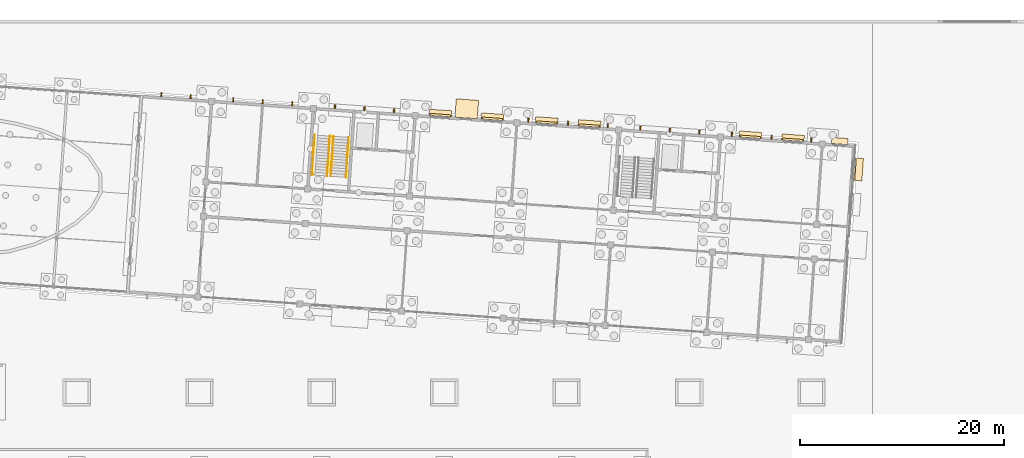
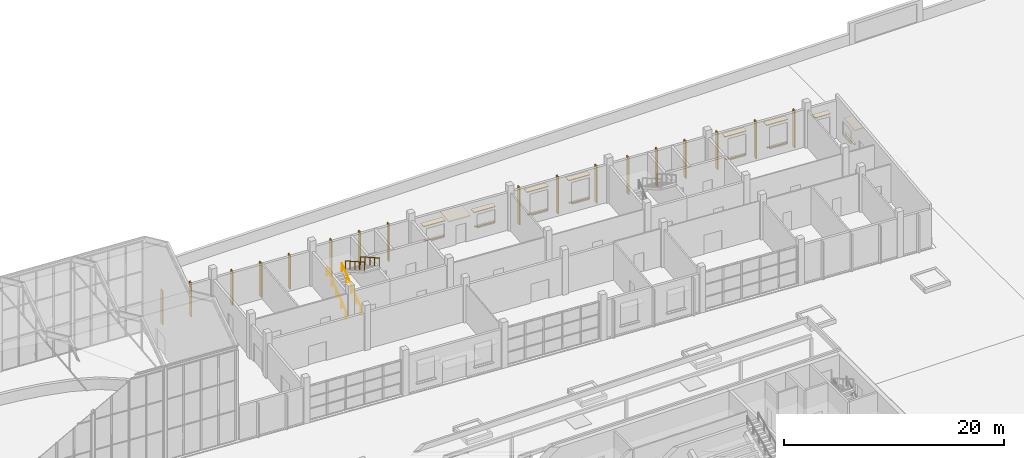
# One storey, part 156 of 157: 17 shading devices, 16 coverings, 4 railings.
"""IFC4 building model written with IfcOpenShell, lengths in metres."""

from ifc_helpers import new_model, si_unit, direction, frame, origin, origin_2d, place, context, subcontext, project, spatial, polyline, circle, outline, extrude, material, layer, layer_set, type_object, element, save


model = new_model("IFC4")

# Units and contexts
model_context = context("Model", 3, precision=1e-05, world=origin(), true_north=direction((0.0, 1.0)))
body_context = subcontext(model_context, "Body", "Model", "MODEL_VIEW")
ifc_project = project(units=[si_unit("LENGTHUNIT", "METRE"), si_unit("AREAUNIT", "SQUARE_METRE"), si_unit("VOLUMEUNIT", "CUBIC_METRE"), si_unit("PLANEANGLEUNIT", "RADIAN"), si_unit("MASSUNIT", "GRAM", prefix="KILO")], contexts=[model_context])

# Site, building, storey
site_placement = place(None, origin())
site = spatial("IfcSite", under=ifc_project, at=site_placement, CompositionType="ELEMENT")
building_placement = place(site_placement, origin())
building = spatial("IfcBuilding", under=site, at=building_placement, Name="Windward Yard Aquatics Centre", CompositionType="ELEMENT")
storey_placement = place(building_placement, origin())
storey = spatial("IfcBuildingStorey", under=building, at=storey_placement, Name="L00", CompositionType="ELEMENT", Elevation=0.0)

# Covering
ifc_material_1 = material(Name="Aluminium standing seam canopy on steel brackets", Category="steel")
ifc_layer_1 = layer(ifc_material_1, 0.1201171875)
ifc_layer_set_1 = layer_set([ifc_layer_1], Name="W entrance canopy aluminium 2200x1800")
covering_type_1 = type_object("IfcCoveringType", Name="W entrance canopy aluminium 2200x1800", PredefinedType="CLADDING", material=ifc_layer_set_1)
covering_1_placement = place(storey_placement, frame((0.0, 0.0, 2.5)))
element("IfcCovering", 1, at=covering_1_placement, inside=storey, type_object=covering_type_1, Name="Entrance canopy W0002", PredefinedType="CLADDING", context=body_context, shape_type="SweptSolid", body=[
    extrude(outline(polyline([(133.052978515625, 134.475830078125), (135.247802734375, 134.322509765625), (135.373291015625, 136.117919921875), (133.1787109375, 136.271484375), (133.052978515625, 134.475830078125)])), origin(), (0.0, 0.0, 1.0), 0.1201171875),
])

# Railings
ifc_material_2 = material(Name="Stainless steel 1.4401", Category="steel")
railing_type = type_object("IfcRailingType", Name="W handrail 900", PredefinedType="HANDRAIL", material=ifc_material_2)
railing_1_placement = place(storey_placement, frame((119.02392578125, 128.815673828125, 0.166748046875)))
element("IfcRailing", 2, at=railing_1_placement, inside=storey, type_object=railing_type, Name="W.HR.W.L00.1L", PredefinedType="HANDRAIL", context=body_context, shape_type="SweptSolid", body=[
    extrude(circle(Radius=0.02392578125, at=origin_2d()), frame((0.0, 0.0, 0.8759765625), z_axis=(0.059993964714, 0.857201902612, 0.51147397036), x_axis=(-0.997559791375, 0.069817351947, 0.0)), (0.0, 0.0, 1.0), 4.561767578125),
    extrude(circle(Radius=0.02099609375, at=origin_2d()), origin(), (0.0, 0.0, 1.0), 0.851806640625),
    extrude(circle(Radius=0.02099609375, at=origin_2d()), frame((0.068359375, 0.9775390625, 0.583251953125)), (0.0, 0.0, 1.0), 0.851806640625),
    extrude(circle(Radius=0.02099609375, at=origin_2d()), frame((0.13671875, 1.955078125, 1.16650390625)), (0.0, 0.0, 1.0), 0.851806640625),
    extrude(circle(Radius=0.02099609375, at=origin_2d()), frame((0.205322265625, 2.932861328125, 1.75)), (0.0, 0.0, 1.0), 0.851806640625),
    extrude(circle(Radius=0.02099609375, at=origin_2d()), frame((0.273681640625, 3.910400390625, 2.333251953125)), (0.0, 0.0, 1.0), 0.851806640625),
])
railing_2_placement = place(storey_placement, frame((120.5205078125, 128.7109375, 0.166748046875)))
element("IfcRailing", 3, at=railing_2_placement, inside=storey, type_object=railing_type, Name="W.HR.W.L00.1R", PredefinedType="HANDRAIL", context=body_context, shape_type="SweptSolid", body=[
    extrude(circle(Radius=0.02392578125, at=origin_2d()), frame((0.0, 0.0, 0.8759765625), z_axis=(0.059884565111, 0.857221594228, 0.511453787991), x_axis=(-0.997568761645, 0.069689065069, 0.0)), (0.0, 0.0, 1.0), 4.56201171875),
    extrude(circle(Radius=0.02099609375, at=origin_2d()), origin(), (0.0, 0.0, 1.0), 0.851806640625),
    extrude(circle(Radius=0.02099609375, at=origin_2d()), frame((0.068359375, 0.9775390625, 0.583251953125)), (0.0, 0.0, 1.0), 0.851806640625),
    extrude(circle(Radius=0.02099609375, at=origin_2d()), frame((0.13671875, 1.955322265625, 1.16650390625)), (0.0, 0.0, 1.0), 0.851806640625),
    extrude(circle(Radius=0.02099609375, at=origin_2d()), frame((0.204833984375, 2.93310546875, 1.75)), (0.0, 0.0, 1.0), 0.851806640625),
    extrude(circle(Radius=0.02099609375, at=origin_2d()), frame((0.273193359375, 3.91064453125, 2.333251953125)), (0.0, 0.0, 1.0), 0.851806640625),
])
railing_3_placement = place(storey_placement, frame((121.14306640625, 132.59716796875, 2.666748046875)))
element("IfcRailing", 4, at=railing_3_placement, inside=storey, type_object=railing_type, Name="W.HR.W.L00.2L", PredefinedType="HANDRAIL", context=body_context, shape_type="SweptSolid", body=[
    extrude(circle(Radius=0.02392578125, at=origin_2d()), frame((0.0, 0.0, 0.8759765625), z_axis=(-0.059991212538, -0.857216094939, 0.511450506888), x_axis=(0.997560094934, -0.06981301451, 0.0)), (0.0, 0.0, 1.0), 4.56201171875),
    extrude(circle(Radius=0.02099609375, at=origin_2d()), origin(), (0.0, 0.0, 1.0), 0.851806640625),
    extrude(circle(Radius=0.02099609375, at=origin_2d()), frame((-0.068359375, -0.9775390625, 0.583251953125)), (0.0, 0.0, 1.0), 0.851806640625),
    extrude(circle(Radius=0.02099609375, at=origin_2d()), frame((-0.13671875, -1.955322265625, 1.16650390625)), (0.0, 0.0, 1.0), 0.851806640625),
    extrude(circle(Radius=0.02099609375, at=origin_2d()), frame((-0.205322265625, -2.93310546875, 1.75)), (0.0, 0.0, 1.0), 0.851806640625),
    extrude(circle(Radius=0.02099609375, at=origin_2d()), frame((-0.273681640625, -3.91064453125, 2.333251953125)), (0.0, 0.0, 1.0), 0.851806640625),
])
railing_4_placement = place(storey_placement, frame((122.639404296875, 132.492431640625, 2.666748046875)))
element("IfcRailing", 5, at=railing_4_placement, inside=storey, type_object=railing_type, Name="W.HR.W.L00.2R", PredefinedType="HANDRAIL", context=body_context, shape_type="SweptSolid", body=[
    extrude(circle(Radius=0.02392578125, at=origin_2d()), frame((0.0, 0.0, 0.8759765625), z_axis=(-0.059940638829, -0.857204653678, 0.511475611862), x_axis=(0.997564127174, -0.069755373817, 0.0)), (0.0, 0.0, 1.0), 4.561767578125),
    extrude(circle(Radius=0.02099609375, at=origin_2d()), origin(), (0.0, 0.0, 1.0), 0.851806640625),
    extrude(circle(Radius=0.02099609375, at=origin_2d()), frame((-0.068359375, -0.9775390625, 0.583251953125)), (0.0, 0.0, 1.0), 0.851806640625),
    extrude(circle(Radius=0.02099609375, at=origin_2d()), frame((-0.13671875, -1.955078125, 1.16650390625)), (0.0, 0.0, 1.0), 0.851806640625),
    extrude(circle(Radius=0.02099609375, at=origin_2d()), frame((-0.205078125, -2.932861328125, 1.75)), (0.0, 0.0, 1.0), 0.851806640625),
    extrude(circle(Radius=0.02099609375, at=origin_2d()), frame((-0.2734375, -3.910400390625, 2.333251953125)), (0.0, 0.0, 1.0), 0.851806640625),
])

# Shading devices
ifc_material_3 = material(Name="Timber-look aluminium batten, powder coated", Category="wood")
shading_device_type = type_object("IfcShadingDeviceType", Name="W vertical fin 120x400", PredefinedType="USERDEFINED", material=ifc_material_3)
shading_device_1_placement = place(storey_placement, origin())
element("IfcShadingDevice", 6, at=shading_device_1_placement, inside=storey, type_object=shading_device_type, Name="Vertical fin W.FW.L00.N.29.8.1.1", ObjectType="FIN", PredefinedType="USERDEFINED", context=body_context, shape_type="SweptSolid", body=[
    extrude(outline(polyline([(104.200927734375, 136.493408203125), (104.32080078125, 136.485107421875), (104.3486328125, 136.884033203125), (104.22900390625, 136.892333984375), (104.200927734375, 136.493408203125)])), origin(), (0.0, 0.0, 1.0), 3.756103515625),
])
shading_device_2_placement = place(storey_placement, origin())
element("IfcShadingDevice", 7, at=shading_device_2_placement, inside=storey, type_object=shading_device_type, Name="Vertical fin W.FW.L00.N.29.8.1.2", ObjectType="FIN", PredefinedType="USERDEFINED", context=body_context, shape_type="SweptSolid", body=[
    extrude(outline(polyline([(107.069091796875, 136.29296875), (107.188720703125, 136.284423828125), (107.216552734375, 136.68359375), (107.096923828125, 136.69189453125), (107.069091796875, 136.29296875)])), origin(), (0.0, 0.0, 1.0), 3.756103515625),
])
shading_device_3_placement = place(storey_placement, origin())
element("IfcShadingDevice", 8, at=shading_device_3_placement, inside=storey, type_object=shading_device_type, Name="Vertical fin W.FW.L00.N.36.8.1.1", ObjectType="FIN", PredefinedType="USERDEFINED", context=body_context, shape_type="SweptSolid", body=[
    extrude(outline(polyline([(111.246337890625, 136.000732421875), (111.365966796875, 135.992431640625), (111.393798828125, 136.391357421875), (111.274169921875, 136.399658203125), (111.246337890625, 136.000732421875)])), origin(), (0.0, 0.0, 1.0), 3.756103515625),
])
shading_device_4_placement = place(storey_placement, origin())
element("IfcShadingDevice", 9, at=shading_device_4_placement, inside=storey, type_object=shading_device_type, Name="Vertical fin W.FW.L00.N.36.8.1.2", ObjectType="FIN", PredefinedType="USERDEFINED", context=body_context, shape_type="SweptSolid", body=[
    extrude(outline(polyline([(114.13916015625, 135.79833984375), (114.2587890625, 135.7900390625), (114.286865234375, 136.189208984375), (114.1669921875, 136.197509765625), (114.13916015625, 135.79833984375)])), origin(), (0.0, 0.0, 1.0), 3.756103515625),
])
shading_device_5_placement = place(storey_placement, origin())
element("IfcShadingDevice", 10, at=shading_device_5_placement, inside=storey, type_object=shading_device_type, Name="Vertical fin W.FW.L00.N.36.8.1.3", ObjectType="FIN", PredefinedType="USERDEFINED", context=body_context, shape_type="SweptSolid", body=[
    extrude(outline(polyline([(117.0322265625, 135.59619140625), (117.15185546875, 135.587890625), (117.1796875, 135.98681640625), (117.06005859375, 135.9951171875), (117.0322265625, 135.59619140625)])), origin(), (0.0, 0.0, 1.0), 3.756103515625),
])
shading_device_6_placement = place(storey_placement, origin())
element("IfcShadingDevice", 11, at=shading_device_6_placement, inside=storey, type_object=shading_device_type, Name="Vertical fin W.FW.L00.N.46.8.1.1", ObjectType="FIN", PredefinedType="USERDEFINED", context=body_context, shape_type="SweptSolid", body=[
    extrude(outline(polyline([(121.221923828125, 135.302978515625), (121.341796875, 135.294921875), (121.36962890625, 135.69384765625), (121.25, 135.7021484375), (121.221923828125, 135.302978515625)])), origin(), (0.0, 0.0, 1.0), 4.1201171875),
])
shading_device_7_placement = place(storey_placement, origin())
element("IfcShadingDevice", 12, at=shading_device_7_placement, inside=storey, type_object=shading_device_type, Name="Vertical fin W.FW.L00.N.46.8.1.2", ObjectType="FIN", PredefinedType="USERDEFINED", context=body_context, shape_type="SweptSolid", body=[
    extrude(outline(polyline([(124.114990234375, 135.100830078125), (124.234619140625, 135.092529296875), (124.262451171875, 135.491455078125), (124.142822265625, 135.5), (124.114990234375, 135.100830078125)])), origin(), (0.0, 0.0, 1.0), 4.1201171875),
])
shading_device_8_placement = place(storey_placement, origin())
element("IfcShadingDevice", 13, at=shading_device_8_placement, inside=storey, type_object=shading_device_type, Name="Vertical fin W.FW.L00.N.46.8.1.3", ObjectType="FIN", PredefinedType="USERDEFINED", context=body_context, shape_type="SweptSolid", body=[
    extrude(outline(polyline([(127.0078125, 134.8984375), (127.127685546875, 134.89013671875), (127.155517578125, 135.289306640625), (127.035888671875, 135.297607421875), (127.0078125, 134.8984375)])), origin(), (0.0, 0.0, 1.0), 4.1201171875),
])
shading_device_9_placement = place(storey_placement, origin())
element("IfcShadingDevice", 14, at=shading_device_9_placement, inside=storey, type_object=shading_device_type, Name="Vertical fin W.FW.L00.N.66.8.1.1", ObjectType="FIN", PredefinedType="USERDEFINED", context=body_context, shape_type="SweptSolid", body=[
    extrude(outline(polyline([(140.175537109375, 133.977783203125), (140.29541015625, 133.969482421875), (140.3232421875, 134.368408203125), (140.20361328125, 134.376708984375), (140.175537109375, 133.977783203125)])), origin(), (0.0, 0.0, 1.0), 4.1201171875),
])
shading_device_10_placement = place(storey_placement, origin())
element("IfcShadingDevice", 15, at=shading_device_10_placement, inside=storey, type_object=shading_device_type, Name="Vertical fin W.FW.L00.N.66.8.2.1", ObjectType="FIN", PredefinedType="USERDEFINED", context=body_context, shape_type="SweptSolid", body=[
    extrude(outline(polyline([(144.066162109375, 133.705810546875), (144.185791015625, 133.697509765625), (144.213623046875, 134.096435546875), (144.093994140625, 134.104736328125), (144.066162109375, 133.705810546875)])), origin(), (0.0, 0.0, 1.0), 4.1201171875),
])
shading_device_11_placement = place(storey_placement, origin())
element("IfcShadingDevice", 16, at=shading_device_11_placement, inside=storey, type_object=shading_device_type, Name="Vertical fin W.FW.L00.N.66.8.3.1", ObjectType="FIN", PredefinedType="USERDEFINED", context=body_context, shape_type="SweptSolid", body=[
    extrude(outline(polyline([(147.95654296875, 133.43359375), (148.076416015625, 133.42529296875), (148.104248046875, 133.82421875), (147.984619140625, 133.832763671875), (147.95654296875, 133.43359375)])), origin(), (0.0, 0.0, 1.0), 4.1201171875),
])
shading_device_12_placement = place(storey_placement, origin())
element("IfcShadingDevice", 17, at=shading_device_12_placement, inside=storey, type_object=shading_device_type, Name="Vertical fin W.FW.L00.N.76.8.1.1", ObjectType="FIN", PredefinedType="USERDEFINED", context=body_context, shape_type="SweptSolid", body=[
    extrude(outline(polyline([(151.14892578125, 133.21044921875), (151.2685546875, 133.2021484375), (151.29638671875, 133.60107421875), (151.1767578125, 133.609375), (151.14892578125, 133.21044921875)])), origin(), (0.0, 0.0, 1.0), 4.1201171875),
])
shading_device_13_placement = place(storey_placement, origin())
element("IfcShadingDevice", 18, at=shading_device_13_placement, inside=storey, type_object=shading_device_type, Name="Vertical fin W.FW.L00.N.76.8.1.2", ObjectType="FIN", PredefinedType="USERDEFINED", context=body_context, shape_type="SweptSolid", body=[
    extrude(outline(polyline([(154.041748046875, 133.008056640625), (154.16162109375, 132.999755859375), (154.189453125, 133.398681640625), (154.069580078125, 133.4072265625), (154.041748046875, 133.008056640625)])), origin(), (0.0, 0.0, 1.0), 4.1201171875),
])
shading_device_14_placement = place(storey_placement, origin())
element("IfcShadingDevice", 19, at=shading_device_14_placement, inside=storey, type_object=shading_device_type, Name="Vertical fin W.FW.L00.N.76.8.1.3", ObjectType="FIN", PredefinedType="USERDEFINED", context=body_context, shape_type="SweptSolid", body=[
    extrude(outline(polyline([(156.934814453125, 132.805908203125), (157.054443359375, 132.797607421875), (157.08251953125, 133.196533203125), (156.962646484375, 133.204833984375), (156.934814453125, 132.805908203125)])), origin(), (0.0, 0.0, 1.0), 4.1201171875),
])
shading_device_15_placement = place(storey_placement, origin())
element("IfcShadingDevice", 20, at=shading_device_15_placement, inside=storey, type_object=shading_device_type, Name="Vertical fin W.FW.L00.N.86.8.1.1", ObjectType="FIN", PredefinedType="USERDEFINED", context=body_context, shape_type="SweptSolid", body=[
    extrude(outline(polyline([(160.126953125, 132.582763671875), (160.24658203125, 132.57421875), (160.2744140625, 132.973388671875), (160.15478515625, 132.981689453125), (160.126953125, 132.582763671875)])), origin(), (0.0, 0.0, 1.0), 4.1201171875),
])
shading_device_16_placement = place(storey_placement, origin())
element("IfcShadingDevice", 21, at=shading_device_16_placement, inside=storey, type_object=shading_device_type, Name="Vertical fin W.FW.L00.N.86.8.2.1", ObjectType="FIN", PredefinedType="USERDEFINED", context=body_context, shape_type="SweptSolid", body=[
    extrude(outline(polyline([(164.017333984375, 132.310546875), (164.13720703125, 132.30224609375), (164.1650390625, 132.701416015625), (164.04541015625, 132.709716796875), (164.017333984375, 132.310546875)])), origin(), (0.0, 0.0, 1.0), 4.1201171875),
])
shading_device_17_placement = place(storey_placement, origin())
element("IfcShadingDevice", 22, at=shading_device_17_placement, inside=storey, type_object=shading_device_type, Name="Vertical fin W.FW.L00.N.86.8.3.1", ObjectType="FIN", PredefinedType="USERDEFINED", context=body_context, shape_type="SweptSolid", body=[
    extrude(outline(polyline([(167.907958984375, 132.03857421875), (168.027587890625, 132.0302734375), (168.055419921875, 132.42919921875), (167.935791015625, 132.4375), (167.907958984375, 132.03857421875)])), origin(), (0.0, 0.0, 1.0), 4.1201171875),
])

# Coverings
ifc_material_4 = material(Name="Aluminium composite hood, powder coated", Category="aluminium")
ifc_layer_2 = layer(ifc_material_4, 0.080078125)
ifc_layer_set_2 = layer_set([ifc_layer_2], Name="W window hood aluminium 1600x600")
covering_type_2 = type_object("IfcCoveringType", Name="W window hood aluminium 1600x600", PredefinedType="CLADDING", material=ifc_layer_set_2)
covering_2_placement = place(storey_placement, frame((0.0, 0.0, 2.64990234375)))
element("IfcCovering", 23, at=covering_2_placement, inside=storey, type_object=covering_type_2, Name="Window hood W0511", PredefinedType="CLADDING", context=body_context, shape_type="SweptSolid", body=[
    extrude(outline(polyline([(169.962890625, 131.894775390625), (171.55908203125, 131.783203125), (171.600830078125, 132.3818359375), (170.0048828125, 132.493408203125), (169.962890625, 131.894775390625)])), origin(), (0.0, 0.0, 1.0), 0.080078125),
])
ifc_layer_3 = layer(ifc_material_4, 0.080078125)
ifc_layer_set_3 = layer_set([ifc_layer_3], Name="W window hood aluminium 2200x600")
covering_type_3 = type_object("IfcCoveringType", Name="W window hood aluminium 2200x600", PredefinedType="CLADDING", material=ifc_layer_set_3)
covering_3_placement = place(storey_placement, frame((0.0, 0.0, 2.75)))
element("IfcCovering", 24, at=covering_3_placement, inside=storey, type_object=covering_type_3, Name="Window hood W0505", PredefinedType="CLADDING", context=body_context, shape_type="SweptSolid", body=[
    extrude(outline(polyline([(130.50927734375, 134.65380859375), (132.703857421875, 134.500244140625), (132.745849609375, 135.098876953125), (130.551025390625, 135.252197265625), (130.50927734375, 134.65380859375)])), origin(), (0.0, 0.0, 1.0), 0.080078125),
])
covering_4_placement = place(storey_placement, frame((0.0, 0.0, 2.75)))
element("IfcCovering", 25, at=covering_4_placement, inside=storey, type_object=covering_type_3, Name="Window hood W0506", PredefinedType="CLADDING", context=body_context, shape_type="SweptSolid", body=[
    extrude(outline(polyline([(135.5966796875, 134.298095703125), (137.79150390625, 134.14453125), (137.833251953125, 134.7431640625), (135.638671875, 134.896484375), (135.5966796875, 134.298095703125)])), origin(), (0.0, 0.0, 1.0), 0.080078125),
])
covering_5_placement = place(storey_placement, frame((0.0, 0.0, 3.35009765625)))
element("IfcCovering", 26, at=covering_5_placement, inside=storey, type_object=covering_type_3, Name="Window hood W0507", PredefinedType="CLADDING", context=body_context, shape_type="SweptSolid", body=[
    extrude(outline(polyline([(140.933837890625, 133.9248046875), (143.12841796875, 133.771240234375), (143.17041015625, 134.369873046875), (140.9755859375, 134.523193359375), (140.933837890625, 133.9248046875)])), origin(), (0.0, 0.0, 1.0), 0.079833984375),
])
covering_6_placement = place(storey_placement, frame((0.0, 0.0, 3.35009765625)))
element("IfcCovering", 27, at=covering_6_placement, inside=storey, type_object=covering_type_3, Name="Window hood W0508", PredefinedType="CLADDING", context=body_context, shape_type="SweptSolid", body=[
    extrude(outline(polyline([(145.12353515625, 133.6318359375), (147.318115234375, 133.478271484375), (147.360107421875, 134.076904296875), (145.165283203125, 134.230224609375), (145.12353515625, 133.6318359375)])), origin(), (0.0, 0.0, 1.0), 0.079833984375),
])
covering_7_placement = place(storey_placement, frame((0.0, 0.0, 3.35009765625)))
element("IfcCovering", 28, at=covering_7_placement, inside=storey, type_object=covering_type_3, Name="Window hood W0509", PredefinedType="CLADDING", context=body_context, shape_type="SweptSolid", body=[
    extrude(outline(polyline([(160.885009765625, 132.52978515625), (163.07958984375, 132.376220703125), (163.12158203125, 132.974609375), (160.927001953125, 133.128173828125), (160.885009765625, 132.52978515625)])), origin(), (0.0, 0.0, 1.0), 0.079833984375),
])
covering_8_placement = place(storey_placement, frame((0.0, 0.0, 3.35009765625)))
element("IfcCovering", 29, at=covering_8_placement, inside=storey, type_object=covering_type_3, Name="Window hood W0510", PredefinedType="CLADDING", context=body_context, shape_type="SweptSolid", body=[
    extrude(outline(polyline([(165.07470703125, 132.23681640625), (167.26953125, 132.083251953125), (167.311279296875, 132.681884765625), (165.11669921875, 132.835205078125), (165.07470703125, 132.23681640625)])), origin(), (0.0, 0.0, 1.0), 0.079833984375),
])
ifc_layer_4 = layer(ifc_material_4, 0.080078125)
ifc_layer_set_4 = layer_set([ifc_layer_4], Name="W window hood aluminium 2200x900")
covering_type_4 = type_object("IfcCoveringType", Name="W window hood aluminium 2200x900", PredefinedType="CLADDING", material=ifc_layer_set_4)
covering_9_placement = place(storey_placement, frame((0.0, 0.0, 2.75)))
element("IfcCovering", 30, at=covering_9_placement, inside=storey, type_object=covering_type_4, Name="Window hood W0513", PredefinedType="CLADDING", context=body_context, shape_type="SweptSolid", body=[
    extrude(outline(polyline([(172.04150390625, 128.291015625), (172.195068359375, 130.485595703125), (173.093017578125, 130.423095703125), (172.939453125, 128.228271484375), (172.04150390625, 128.291015625)])), origin(), (0.0, 0.0, 1.0), 0.080078125),
])
ifc_material_5 = material(Name="Limestone sill", Category="masonry")
ifc_layer_5 = layer(ifc_material_5, 0.080078125)
ifc_layer_set_5 = layer_set([ifc_layer_5], Name="W window sill stone 2000x200")
covering_type_5 = type_object("IfcCoveringType", Name="W window sill stone 2000x200", PredefinedType="CLADDING", material=ifc_layer_set_5)
covering_10_placement = place(storey_placement, frame((0.0, 0.0, 1.1201171875)))
element("IfcCovering", 31, at=covering_10_placement, inside=storey, type_object=covering_type_5, Name="Window sill W0513", PredefinedType="CLADDING", context=body_context, shape_type="SweptSolid", body=[
    extrude(outline(polyline([(172.048583984375, 128.390869140625), (172.18798828125, 130.385986328125), (172.3876953125, 130.3720703125), (172.248046875, 128.376953125), (172.048583984375, 128.390869140625)])), origin(), (0.0, 0.0, 1.0), 0.079833984375),
])
covering_11_placement = place(storey_placement, frame((0.0, 0.0, 1.1201171875)))
element("IfcCovering", 32, at=covering_11_placement, inside=storey, type_object=covering_type_5, Name="Window sill W0505", PredefinedType="CLADDING", context=body_context, shape_type="SweptSolid", body=[
    extrude(outline(polyline([(130.60888671875, 134.646728515625), (132.60400390625, 134.50732421875), (132.6181640625, 134.706787109375), (130.623046875, 134.84619140625), (130.60888671875, 134.646728515625)])), origin(), (0.0, 0.0, 1.0), 0.079833984375),
])
covering_12_placement = place(storey_placement, frame((0.0, 0.0, 1.1201171875)))
element("IfcCovering", 33, at=covering_12_placement, inside=storey, type_object=covering_type_5, Name="Window sill W0506", PredefinedType="CLADDING", context=body_context, shape_type="SweptSolid", body=[
    extrude(outline(polyline([(135.696533203125, 134.291015625), (137.691650390625, 134.151611328125), (137.705810546875, 134.35107421875), (135.71044921875, 134.490478515625), (135.696533203125, 134.291015625)])), origin(), (0.0, 0.0, 1.0), 0.079833984375),
])
covering_13_placement = place(storey_placement, frame((0.0, 0.0, 0.820068359375)))
element("IfcCovering", 34, at=covering_13_placement, inside=storey, type_object=covering_type_5, Name="Window sill W0507", PredefinedType="CLADDING", context=body_context, shape_type="SweptSolid", body=[
    extrude(outline(polyline([(141.033447265625, 133.917724609375), (143.02880859375, 133.7783203125), (143.04248046875, 133.977783203125), (141.047607421875, 134.1171875), (141.033447265625, 133.917724609375)])), origin(), (0.0, 0.0, 1.0), 0.079833984375),
])
covering_14_placement = place(storey_placement, frame((0.0, 0.0, 0.820068359375)))
element("IfcCovering", 35, at=covering_14_placement, inside=storey, type_object=covering_type_5, Name="Window sill W0508", PredefinedType="CLADDING", context=body_context, shape_type="SweptSolid", body=[
    extrude(outline(polyline([(145.223388671875, 133.624755859375), (147.218505859375, 133.4853515625), (147.232421875, 133.684814453125), (145.2373046875, 133.82421875), (145.223388671875, 133.624755859375)])), origin(), (0.0, 0.0, 1.0), 0.079833984375),
])
covering_15_placement = place(storey_placement, frame((0.0, 0.0, 0.820068359375)))
element("IfcCovering", 36, at=covering_15_placement, inside=storey, type_object=covering_type_5, Name="Window sill W0509", PredefinedType="CLADDING", context=body_context, shape_type="SweptSolid", body=[
    extrude(outline(polyline([(160.98486328125, 132.522705078125), (162.97998046875, 132.38330078125), (162.993896484375, 132.582763671875), (160.998779296875, 132.72216796875), (160.98486328125, 132.522705078125)])), origin(), (0.0, 0.0, 1.0), 0.079833984375),
])
covering_16_placement = place(storey_placement, frame((0.0, 0.0, 0.820068359375)))
element("IfcCovering", 37, at=covering_16_placement, inside=storey, type_object=covering_type_5, Name="Window sill W0510", PredefinedType="CLADDING", context=body_context, shape_type="SweptSolid", body=[
    extrude(outline(polyline([(165.174560546875, 132.229736328125), (167.169677734375, 132.090087890625), (167.18359375, 132.289794921875), (165.1884765625, 132.42919921875), (165.174560546875, 132.229736328125)])), origin(), (0.0, 0.0, 1.0), 0.079833984375),
])

save(model, "model.ifc")
